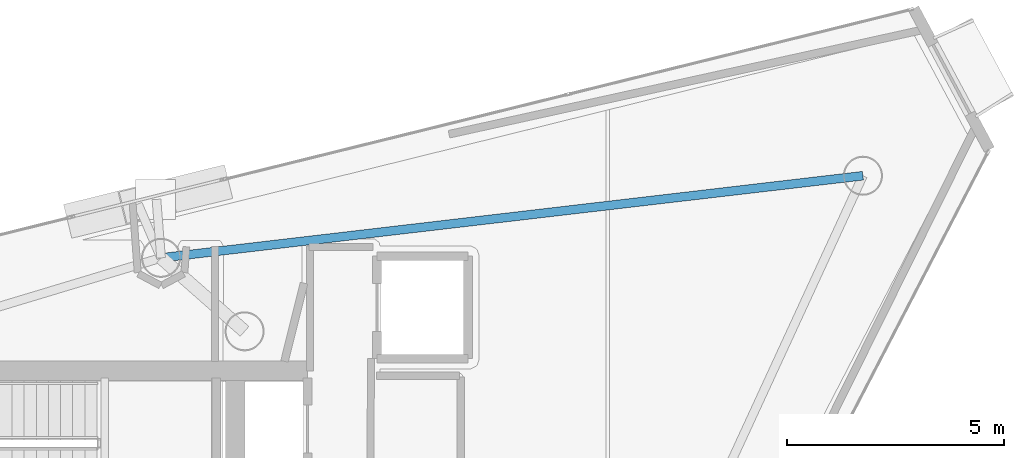
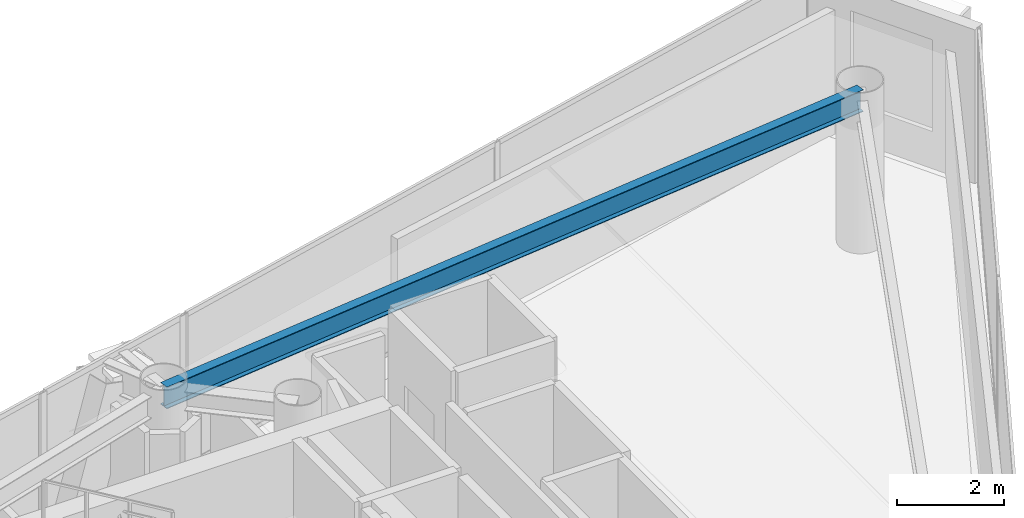
# One storey, part 15 of 21: 1 beam.
"""IFC4 building model written with IfcOpenShell, lengths in metres."""

import ifcopenshell
import ifcopenshell.guid

model = None  # the IFC model being written
_history = None  # IfcOwnerHistory: only IFC2X3 demands one
_inside = {}  # id of a spatial element -> (the spatial element, [elements in it])
_under = {}  # id of a project, library or spatial element -> (it, [spatial elements below it])
_declared = {}  # id of a project -> (the project, [libraries it declares])
_typed = {}  # id of a type object -> (the type object, [elements of that type])
_made_of = {}  # id of a material, layer set ... -> (it, [elements and type objects made of it])


def new_model(schema):
    """Start an empty IFC model of exactly this schema.

    Asked for "IFC4X3", IfcOpenShell would pick the latest addendum, in which some entities
    have other attributes; the version numbers below select the first issue.
    IFC2X3 requires an IfcOwnerHistory on every rooted entity: one is made here for all.
    """
    global model, _history
    if schema == "IFC4X3":
        model = ifcopenshell.file(schema_version=(4, 3, 0, 0))
    else:
        model = ifcopenshell.file(schema=schema)
    _inside.clear()
    _under.clear()
    _declared.clear()
    _typed.clear()
    _made_of.clear()
    _history = None
    if model.schema == "IFC2X3":
        org = make("IfcOrganization", Name="unknown")
        user = make(
            "IfcPersonAndOrganization",
            ThePerson=make("IfcPerson", FamilyName="unknown"),
            TheOrganization=org,
        )
        app = make(
            "IfcApplication",
            ApplicationDeveloper=org,
            Version="unknown",
            ApplicationFullName="unknown",
            ApplicationIdentifier="unknown",
        )
        _history = make(
            "IfcOwnerHistory",
            OwningUser=user,
            OwningApplication=app,
            ChangeAction="ADDED",
            CreationDate=0,
        )
    return model


def make(cls, **values):
    """One entity of the class cls with the attributes given. An attribute that is None is left unset."""
    return model.create_entity(
        cls, **{name: value for name, value in values.items() if value is not None}
    )


def rooted(cls, **values):
    """An entity with a GlobalId (a new one), such as an element, a storey or a relation."""
    return make(cls, GlobalId=ifcopenshell.guid.new(), OwnerHistory=_history, **values)


def si_unit(unit_type, name, prefix=None):
    """IfcSIUnit, for example si_unit("LENGTHUNIT", "METRE", prefix="MILLI")."""
    return make("IfcSIUnit", UnitType=unit_type, Prefix=prefix, Name=name)


def assignment(units):
    """IfcUnitAssignment: the units of a project."""
    return None if units is None else make("IfcUnitAssignment", Units=units)


def point(xyz):
    """IfcCartesianPoint."""
    return None if xyz is None else make("IfcCartesianPoint", Coordinates=xyz)


def direction(xyz):
    """IfcDirection."""
    return None if xyz is None else make("IfcDirection", DirectionRatios=xyz)


def frame(location, z_axis=None, x_axis=None):
    """IfcAxis2Placement3D, a coordinate frame: its origin and axes. An axis left out is left unset."""
    return make(
        "IfcAxis2Placement3D",
        Location=point(location),
        Axis=direction(z_axis),
        RefDirection=direction(x_axis),
    )


def frame_2d(location, x_axis=None):
    """IfcAxis2Placement2D, a coordinate frame in the plane: its origin and x axis."""
    return make(
        "IfcAxis2Placement2D", Location=point(location), RefDirection=direction(x_axis)
    )


def origin():
    """The frame at (0, 0, 0) with its axes left unset."""
    return frame((0.0, 0.0, 0.0))


def origin_2d():
    """The frame at (0, 0) in the plane with its x axis left unset."""
    return frame_2d((0.0, 0.0))


def place(relative_to, where):
    """IfcLocalPlacement: puts the frame where relative to a parent placement (None: the world)."""
    return make(
        "IfcLocalPlacement", PlacementRelTo=relative_to, RelativePlacement=where
    )


def context(
    kind, dimensions, precision=None, world=None, true_north=None, identifier=None
):
    """IfcGeometricRepresentationContext, for example the 3D "Model" context."""
    return make(
        "IfcGeometricRepresentationContext",
        ContextIdentifier=identifier,
        ContextType=kind,
        CoordinateSpaceDimension=dimensions,
        Precision=precision,
        WorldCoordinateSystem=world,
        TrueNorth=true_north,
    )


def subcontext(parent, identifier, kind, view, scale=None):
    """IfcGeometricRepresentationSubContext, for example "Body" below "Model"."""
    return make(
        "IfcGeometricRepresentationSubContext",
        ContextIdentifier=identifier,
        ContextType=kind,
        ParentContext=parent,
        TargetScale=scale,
        TargetView=view,
    )


def project(units=None, contexts=None):
    """IfcProject with its units and contexts."""
    return rooted(
        "IfcProject",
        Name="project",
        RepresentationContexts=contexts,
        UnitsInContext=assignment(units),
    )


def spatial(cls, under=None, at=None, **own):
    """A site, building, storey or space (cls), placed at a placement, below another one or the project."""
    s = rooted(cls, ObjectPlacement=at, **own)
    if under is not None:
        _under.setdefault(under.id(), (under, []))[1].append(s)
    return s


def profile(cls, at=None, kind="AREA", **sizes):
    """A parametric profile (cls). Its sizes go by their IFC names, for example OverallWidth=200.0."""
    return make(cls, ProfileType=kind, Position=at, **sizes)


def i_section(**sizes):
    """IfcIShapeProfileDef."""
    return profile("IfcIShapeProfileDef", **sizes)


def extrude(swept, where, along, depth):
    """IfcExtrudedAreaSolid: the profile swept, set in the frame where, extruded along a direction by depth."""
    return make(
        "IfcExtrudedAreaSolid",
        SweptArea=swept,
        Position=where,
        ExtrudedDirection=direction(along),
        Depth=depth,
    )


def shape(context_of_items, identifier, shape_type, items):
    """IfcShapeRepresentation: the items that make up one representation, for example the "Body"."""
    return make(
        "IfcShapeRepresentation",
        ContextOfItems=context_of_items,
        RepresentationIdentifier=identifier,
        RepresentationType=shape_type,
        Items=items,
    )


def material(Name=None, Category=None):
    """IfcMaterial."""
    return make("IfcMaterial", Name=Name, Category=Category)


def material_profile(
    of_material, cross_section, Name=None, Category=None, Priority=None
):
    """IfcMaterialProfile: a cross section and its material."""
    return make(
        "IfcMaterialProfile",
        Name=Name,
        Material=of_material,
        Profile=cross_section,
        Priority=Priority,
        Category=Category,
    )


def profile_set(profiles, Name=None, composite=None):
    """IfcMaterialProfileSet."""
    return make(
        "IfcMaterialProfileSet",
        Name=Name,
        MaterialProfiles=profiles,
        CompositeProfile=composite,
    )


def made_of(thing, what):
    """Note that an element or type object is made of a material, layer set ...; save() writes the relation."""
    if what is not None:
        _made_of.setdefault(what.id(), (what, []))[1].append(thing)
    return thing


def type_object(cls, material=None, **own):
    """A type object (cls), such as IfcWallType, which elements share."""
    return made_of(rooted(cls, **own), material)


def element(
    cls,
    number,
    at=None,
    inside=None,
    cuts=None,
    type_object=None,
    material=None,
    context=None,
    identifier="Body",
    shape_type=None,
    held_by="IfcProductDefinitionShape",
    body=None,
    shapes=None,
    **own,
):
    """One element of the class cls, such as IfcWall. Its Tag is "e" and its number.

    at: its placement. inside: the storey or other place that contains it. cuts: it is an
    opening in that element (IfcRelVoidsElement). A single representation is given by context,
    identifier, shape_type and body (its items); several are given by shapes. held_by: the class
    of the entity that holds the representations. save() writes the other relations.
    """
    e = rooted(cls, Tag="e%d" % number, ObjectPlacement=at, **own)
    if body is not None:
        shapes = [shape(context, identifier, shape_type, body)]
    if shapes is not None:
        e.Representation = make(held_by, Representations=shapes)
    if inside is not None:
        _inside.setdefault(inside.id(), (inside, []))[1].append(e)
    if cuts is not None:
        rooted(
            "IfcRelVoidsElement", RelatingBuildingElement=cuts, RelatedOpeningElement=e
        )
    if type_object is not None:
        _typed.setdefault(type_object.id(), (type_object, []))[1].append(e)
    return made_of(e, material)


def aggregate(whole, parts):
    """IfcRelAggregates: a whole, such as a stair, and the parts it consists of."""
    return rooted("IfcRelAggregates", RelatingObject=whole, RelatedObjects=parts)


def save(model, path):
    """Write the relations noted so far, then the file.

    IfcRelAggregates (storeys below a building ...), IfcRelContainedInSpatialStructure (elements
    in a storey), IfcRelDefinesByType, IfcRelAssociatesMaterial and IfcRelDeclares: one each for
    every whole, place, type object, material and project.
    """
    for whole, parts in _under.values():
        aggregate(whole, parts)
    for where, things in _inside.values():
        rooted(
            "IfcRelContainedInSpatialStructure",
            RelatedElements=things,
            RelatingStructure=where,
        )
    for kind, things in _typed.values():
        rooted("IfcRelDefinesByType", RelatedObjects=things, RelatingType=kind)
    for what, things in _made_of.values():
        rooted("IfcRelAssociatesMaterial", RelatedObjects=things, RelatingMaterial=what)
    for by, libraries in _declared.values():
        rooted("IfcRelDeclares", RelatingContext=by, RelatedDefinitions=libraries)
    model.write(path)


model = new_model("IFC4")

# Units and contexts
model_context = context("Model", 3, precision=1e-05, world=origin(), true_north=direction((0.0, 1.0)))
body_context = subcontext(model_context, "Body", "Model", "MODEL_VIEW")
ifc_project = project(units=[si_unit("LENGTHUNIT", "METRE"), si_unit("AREAUNIT", "SQUARE_METRE"), si_unit("VOLUMEUNIT", "CUBIC_METRE"), si_unit("PLANEANGLEUNIT", "RADIAN"), si_unit("MASSUNIT", "GRAM", prefix="KILO")], contexts=[model_context])

# Site, building, storey
site_placement = place(None, origin())
site = spatial("IfcSite", under=ifc_project, at=site_placement, CompositionType="ELEMENT")
building_placement = place(site_placement, origin())
building = spatial("IfcBuilding", under=site, at=building_placement, Name="Qianvela Tower", CompositionType="ELEMENT")
storey_placement = place(building_placement, frame((0.0, 0.0, 310.199951171875)))
storey = spatial("IfcBuildingStorey", under=building, at=storey_placement, Name="L80", CompositionType="ELEMENT", Elevation=310.199951171875)

# Beam
ifc_material = material(Name="Steel Q355B", Category="steel")
ifc_material_profile = material_profile(ifc_material, i_section(OverallWidth=0.199951171875, OverallDepth=0.5, WebThickness=0.010009765625, FlangeThickness=0.01611328125, at=origin_2d()), Name="HN500x200x10x16")
ifc_profile_set = profile_set([ifc_material_profile], Name="Steel Q355B")
beam_type = type_object("IfcBeamType", Name="BM-HN500-GIRD", PredefinedType="BEAM", material=ifc_profile_set)
beam_placement = place(storey_placement, frame((52.64794921875, 37.135009765625, 3.26806640625), z_axis=(-0.993225117092, -0.116206139153, 0.0), x_axis=(0.116206139153, -0.993225117092, 0.0)))
element("IfcBeam", 1, at=beam_placement, inside=storey, type_object=beam_type, Name="L80 Perimeter Ring Spandrel Girder 1", PredefinedType="BEAM", context=body_context, shape_type="SweptSolid", body=[
    extrude(i_section(OverallWidth=0.199951171875, OverallDepth=0.5, WebThickness=0.010009765625, FlangeThickness=0.01611328125, at=origin_2d()), origin(), (0.0, 0.0, 1.0), 16.2822265625),
])

save(model, "model.ifc")
